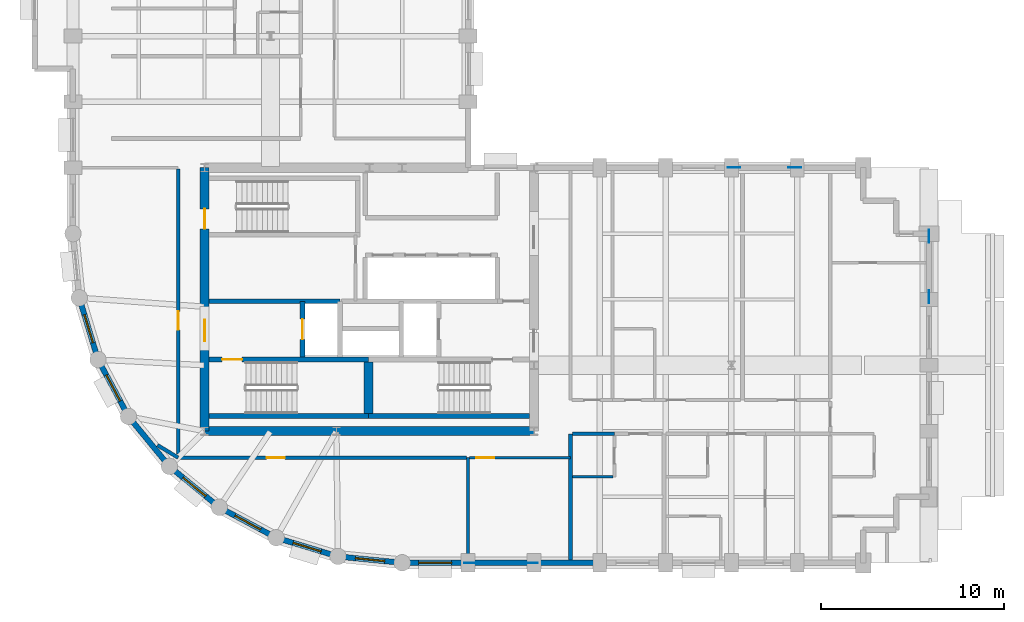
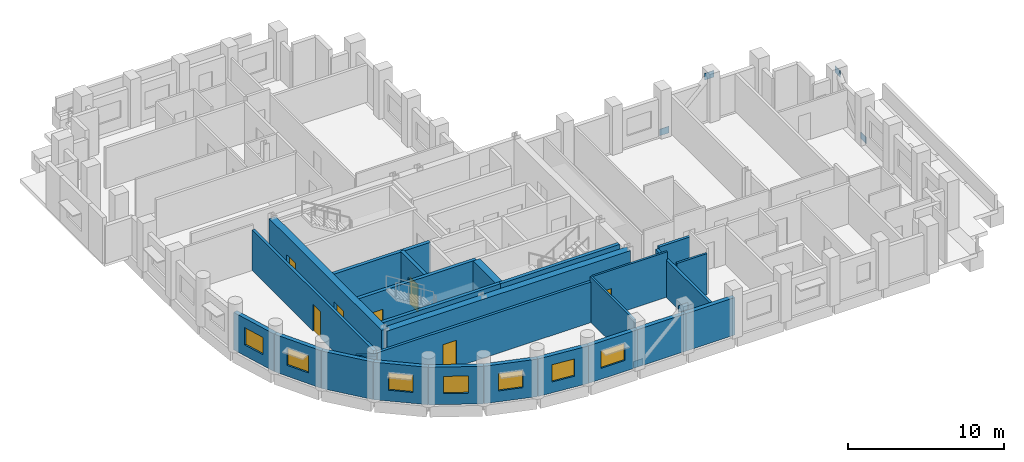
# One storey, part 3 of 10: 26 walls, 7 doors, 7 windows, 6 plates, 14 openings.
"""IFC4 building model written with IfcOpenShell, lengths in metres."""

from ifc_helpers import new_model, si_unit, direction, frame, frame_2d, origin, origin_2d, place, context, subcontext, project, spatial, rectangle, extrude, material, layer, layer_set, type_object, element, fill, save


model = new_model("IFC4")

# Units and contexts
model_context = context("Model", 3, precision=1e-05, world=origin(), true_north=direction((0.0, 1.0)))
body_context = subcontext(model_context, "Body", "Model", "MODEL_VIEW")
ifc_project = project(units=[si_unit("LENGTHUNIT", "METRE"), si_unit("AREAUNIT", "SQUARE_METRE"), si_unit("VOLUMEUNIT", "CUBIC_METRE"), si_unit("PLANEANGLEUNIT", "RADIAN"), si_unit("MASSUNIT", "GRAM", prefix="KILO")], contexts=[model_context])

# Site, building, storey
site_placement = place(None, origin())
site = spatial("IfcSite", under=ifc_project, at=site_placement, CompositionType="ELEMENT")
building_placement = place(site_placement, origin())
building = spatial("IfcBuilding", under=site, at=building_placement, Name="Solnavia Interchange Tower", CompositionType="ELEMENT")
storey_placement = place(building_placement, frame((0.0, 0.0, 127.60009765625)))
storey = spatial("IfcBuildingStorey", under=building, at=storey_placement, Name="L31", CompositionType="ELEMENT", Elevation=127.60009765625)

# Plates
ifc_material_1 = material(Name="Steel S460", Category="steel")
ifc_layer_1 = layer(ifc_material_1, 0.030029296875)
ifc_layer_set_1 = layer_set([ifc_layer_1], Name="Steel S460")
plate_type = type_object("IfcPlateType", Name="Plate-Gusset-700x520x30", PredefinedType="USERDEFINED", material=ifc_layer_set_1)
for number, where, z_axis, x_axis, name in (
    (1, (28.93994140625, 3.60009765625, -0.080078125), (0.0, 0.0, 1.0), (1.0, 0.0, 0.0), "PLT-L31-GP01 Perimeter brace gusset plate"),
    (2, (32.260009765625, 3.60009765625, 3.10986328125), (0.0, 0.0, 1.0), (1.0, 0.0, 0.0), "PLT-L31-GP02 Perimeter brace gusset plate"),
    (3, (54.0, 18.139892578125, -0.080078125), (0.0, 0.0, 1.0), (0.0, 1.0, 0.0), "PLT-L31-GP03 Perimeter brace gusset plate"),
    (4, (54.0, 21.4599609375, 3.10986328125), (0.0, 0.0, 1.0), (0.0, 1.0, 0.0), "PLT-L31-GP04 Perimeter brace gusset plate"),
    (5, (43.340087890625, 25.199951171875, -0.080078125), (0.0, 0.0, 1.0), (1.0, 0.0, 0.0), "PLT-L31-GP05 Perimeter brace gusset plate"),
    (6, (46.659912109375, 25.199951171875, 3.10986328125), (0.0, 0.0, 1.0), (1.0, 0.0, 0.0), "PLT-L31-GP06 Perimeter brace gusset plate"),
):
    element("IfcPlate", number, at=place(storey_placement, frame(where, z_axis=z_axis, x_axis=x_axis)), inside=storey, type_object=plate_type, Name=name, ObjectType="GUSSET PLATE", PredefinedType="USERDEFINED", context=body_context, shape_type="SweptSolid", body=[
        extrude(rectangle(XDim=0.699951171875, YDim=0.030029296875, at=origin_2d()), origin(), (0.0, 0.0, 1.0), 0.52001953125),
    ])

# Wall
ifc_material_2 = material(Name="Gypsum Acoustic Twin-Stud & Mineral Wool", Category="gypsum")
ifc_layer_2 = layer(ifc_material_2, 0.199951171875)
ifc_layer_set_2 = layer_set([ifc_layer_2], Name="Gypsum Acoustic Twin-Stud & Mineral Wool")
wall_type_1 = type_object("IfcWallType", Name="Wall-ApartmentParty-200", PredefinedType="PARTITIONING", material=ifc_layer_set_2)
wall_1_placement = place(storey_placement, frame((12.949951171875, 9.35009765625, 0.0), z_axis=(0.0, 0.0, 1.0), x_axis=(-0.856027557466, 0.516930189541, 0.0)))
element("IfcWall", 7, at=wall_1_placement, inside=storey, type_object=wall_type_1, Name="PTW-L31-09 Interior partition wall", PredefinedType="PARTITIONING", context=body_context, shape_type="SweptSolid", body=[
    extrude(rectangle(XDim=1.326171875, YDim=0.199951171875, at=frame_2d((0.6630859375, 0.0))), origin(), (0.0, 0.0, 1.0), 2.929931640625),
])

# Wall, opening, door
wall_2_placement = place(storey_placement, frame((12.949951171875, 9.560302734375, 0.0), z_axis=(0.0, 0.0, 1.0), x_axis=(0.0, 1.0, 0.0)))
wall_2 = element("IfcWall", 8, at=wall_2_placement, inside=storey, type_object=wall_type_1, Name="PTW-L31-10 Interior partition wall", PredefinedType="PARTITIONING", context=body_context, shape_type="SweptSolid", body=[
    extrude(rectangle(XDim=15.560791015625, YDim=0.199951171875, at=frame_2d((7.7802734375, 0.0))), origin(), (0.0, 0.0, 1.0), 3.169921875),
])
opening_1_placement = place(wall_2_placement, frame((6.780029296875, 0.0, 0.0)))
opening_1 = element("IfcOpeningElement", 9, at=opening_1_placement, cuts=wall_2, Name="Opening DR-07", PredefinedType="OPENING", context=body_context, shape_type="SweptSolid", body=[
    extrude(rectangle(XDim=1.0, YDim=2.10009765625, at=frame_2d((0.5, 1.050048828125))), frame((0.0, 0.10986328125, 0.0), z_axis=(0.0, -1.0, 0.0), x_axis=(1.0, 0.0, 0.0)), (0.0, 0.0, 1.0), 0.219970703125),
])
ifc_material_3 = material(Name="Timber & Acoustic Glazed Office Door", Category="wood")
door_type_1 = type_object("IfcDoorType", Name="Door-Office-1000x2100", OperationType="SINGLE_SWING_RIGHT", PredefinedType="DOOR", material=ifc_material_3)
door_1_placement = place(opening_1_placement, origin())
door_1 = element("IfcDoor", 10, at=door_1_placement, inside=storey, type_object=door_type_1, Name="DR-L31-03 Interior room door", OperationType="SINGLE_SWING_LEFT", OverallHeight=2.10009765625, OverallWidth=1.0, PredefinedType="DOOR", context=body_context, shape_type="SweptSolid", body=[
    extrude(rectangle(XDim=1.0, YDim=2.10009765625, at=frame_2d((0.5, 1.050048828125))), frame((0.0, 0.02490234375, 0.0), z_axis=(0.0, -1.0, 0.0), x_axis=(1.0, 0.0, 0.0)), (0.0, 0.0, 1.0), 0.050048828125),
])
fill(opening_1, door_1)

wall_3_placement = place(storey_placement, frame((12.949951171875, 9.35009765625, 0.0), z_axis=(0.0, 0.0, 1.0), x_axis=(1.0, 0.0, 0.0)))
wall_3 = element("IfcWall", 11, at=wall_3_placement, inside=storey, type_object=wall_type_1, Name="PTW-L31-11 Interior partition wall", PredefinedType="PARTITIONING", context=body_context, shape_type="SweptSolid", body=[
    extrude(rectangle(XDim=15.77099609375, YDim=0.199951171875, at=frame_2d((7.885498046875, 0.0))), origin(), (0.0, 0.0, 1.0), 3.169921875),
])
opening_2_placement = place(wall_3_placement, frame((4.8359375, 0.0, 0.0)))
opening_2 = element("IfcOpeningElement", 12, at=opening_2_placement, cuts=wall_3, Name="Opening DR-07", PredefinedType="OPENING", context=body_context, shape_type="SweptSolid", body=[
    extrude(rectangle(XDim=1.0, YDim=2.10009765625, at=frame_2d((0.5, 1.050048828125))), frame((0.0, 0.10986328125, 0.0), z_axis=(0.0, -1.0, 0.0), x_axis=(1.0, 0.0, 0.0)), (0.0, 0.0, 1.0), 0.219970703125),
])
door_2_placement = place(opening_2_placement, origin())
door_2 = element("IfcDoor", 13, at=door_2_placement, inside=storey, type_object=door_type_1, Name="DR-L31-04 Interior room door", OperationType="SINGLE_SWING_RIGHT", OverallHeight=2.10009765625, OverallWidth=1.0, PredefinedType="DOOR", context=body_context, shape_type="SweptSolid", body=[
    extrude(rectangle(XDim=1.0, YDim=2.10009765625, at=frame_2d((0.5, 1.050048828125))), frame((0.0, 0.02490234375, 0.0), z_axis=(0.0, -1.0, 0.0), x_axis=(1.0, 0.0, 0.0)), (0.0, 0.0, 1.0), 0.050048828125),
])
fill(opening_2, door_2)

# Walls
wall_4_placement = place(storey_placement, frame((34.39990234375, 3.75390625, 0.0), z_axis=(0.0, 0.0, 1.0), x_axis=(0.0, 1.0, 0.0)))
element("IfcWall", 14, at=wall_4_placement, inside=storey, type_object=wall_type_1, Name="PTW-L31-13 Interior partition wall", PredefinedType="PARTITIONING", context=body_context, shape_type="SweptSolid", body=[
    extrude(rectangle(XDim=6.89599609375, YDim=0.199951171875, at=frame_2d((3.447998046875, 0.0))), origin(), (0.0, 0.0, 1.0), 2.929931640625),
])
wall_5_placement = place(storey_placement, frame((34.50390625, 10.64990234375, 0.0), z_axis=(0.0, 0.0, 1.0), x_axis=(1.0, 0.0, 0.0)))
element("IfcWall", 15, at=wall_5_placement, inside=storey, type_object=wall_type_1, Name="PTW-L31-15 Interior partition wall", PredefinedType="PARTITIONING", context=body_context, shape_type="SweptSolid", body=[
    extrude(rectangle(XDim=2.296142578125, YDim=0.199951171875, at=frame_2d((1.14794921875, 0.0))), origin(), (0.0, 0.0, 1.0), 3.079833984375),
])

# Wall, opening, window
ifc_material_4 = material(Name="Concrete C40/50", Category="concrete")
ifc_layer_3 = layer(ifc_material_4, 0.300048828125)
ifc_layer_set_3 = layer_set([ifc_layer_3], Name="Concrete C40/50")
wall_type_2 = type_object("IfcWallType", Name="Wall-ExtSpandrel-300", PredefinedType="STANDARD", material=ifc_layer_set_3)
wall_6_placement = place(storey_placement, frame((28.800048828125, 3.60009765625, 0.0), z_axis=(0.0, 0.0, 1.0), x_axis=(-1.0, 0.0, 0.0)))
wall_6 = element("IfcWall", 16, at=wall_6_placement, inside=storey, type_object=wall_type_2, Name="EXW-L31-01 Exterior precast spandrel wall", PredefinedType="STANDARD", context=body_context, shape_type="SweptSolid", body=[
    extrude(rectangle(XDim=3.60009765625, YDim=0.300048828125, at=frame_2d((1.800048828125, 0.0))), origin(), (0.0, 0.0, 1.0), 2.929931640625),
])
opening_3_placement = place(wall_6_placement, frame((0.89990234375, 0.0, 0.85009765625)))
opening_3 = element("IfcOpeningElement", 17, at=opening_3_placement, cuts=wall_6, Name="Opening WIN-02", PredefinedType="OPENING", context=body_context, shape_type="SweptSolid", body=[
    extrude(rectangle(XDim=1.800048828125, YDim=1.35009765625, at=frame_2d((0.89990234375, 0.675048828125))), frame((0.0, 0.16015625, 0.0), z_axis=(0.0, -1.0, 0.0), x_axis=(1.0, 0.0, 0.0)), (0.0, 0.0, 1.0), 0.320068359375),
])
ifc_material_5 = material(Name="Thermal-Break Aluminium & Low-E Glass", Category="aluminium")
window_type_1 = type_object("IfcWindowType", Name="Window-Ribbon-1800x1350", PartitioningType="SINGLE_PANEL", PredefinedType="WINDOW", material=ifc_material_5)
window_1_placement = place(opening_3_placement, origin())
window_1 = element("IfcWindow", 18, at=window_1_placement, inside=storey, type_object=window_type_1, Name="WIN-L31-01 Facade ribbon window", OverallHeight=1.35009765625, OverallWidth=1.800048828125, PartitioningType="SINGLE_PANEL", PredefinedType="WINDOW", context=body_context, shape_type="SweptSolid", body=[
    extrude(rectangle(XDim=1.800048828125, YDim=1.35009765625, at=frame_2d((0.89990234375, 0.675048828125))), frame((0.0, 0.030029296875, 0.0), z_axis=(0.0, -1.0, 0.0), x_axis=(1.0, 0.0, 0.0)), (0.0, 0.0, 1.0), 0.06005859375),
])
fill(opening_3, window_1)

# Walls
wall_7_placement = place(storey_placement, frame((32.39990234375, 3.60009765625, 0.0), z_axis=(0.0, 0.0, 1.0), x_axis=(-1.0, 0.0, 0.0)))
element("IfcWall", 19, at=wall_7_placement, inside=storey, type_object=wall_type_2, Name="EXW-L31-02 Exterior precast spandrel wall", PredefinedType="STANDARD", context=body_context, shape_type="SweptSolid", body=[
    extrude(rectangle(XDim=3.599853515625, YDim=0.300048828125, at=frame_2d((1.7998046875, 0.0))), origin(), (0.0, 0.0, 1.0), 2.929931640625),
])
wall_8_placement = place(storey_placement, frame((36.0, 3.60009765625, 0.0), z_axis=(0.0, 0.0, 1.0), x_axis=(-1.0, 0.0, 0.0)))
element("IfcWall", 20, at=wall_8_placement, inside=storey, type_object=wall_type_2, Name="EXW-L31-03 Exterior precast spandrel wall", PredefinedType="STANDARD", context=body_context, shape_type="SweptSolid", body=[
    extrude(rectangle(XDim=3.60009765625, YDim=0.300048828125, at=frame_2d((1.800048828125, 0.0))), origin(), (0.0, 0.0, 1.0), 2.929931640625),
])

# Wall, opening, window
wall_9_placement = place(storey_placement, frame((8.570068359375, 14.7119140625, 0.0), z_axis=(0.0, 0.0, 1.0), x_axis=(-0.290305086481, 0.956934144423, 0.0)))
wall_9 = element("IfcWall", 21, at=wall_9_placement, inside=storey, type_object=wall_type_2, Name="EXW-L31-52 Exterior precast spandrel wall", PredefinedType="STANDARD", context=body_context, shape_type="SweptSolid", body=[
    extrude(rectangle(XDim=3.52783203125, YDim=0.300048828125, at=frame_2d((1.763916015625, 0.0))), origin(), (0.0, 0.0, 1.0), 2.929931640625),
])
opening_4_placement = place(wall_9_placement, frame((0.964111328125, 0.0, 0.85009765625)))
opening_4 = element("IfcOpeningElement", 22, at=opening_4_placement, cuts=wall_9, Name="Opening WIN-04", PredefinedType="OPENING", context=body_context, shape_type="SweptSolid", body=[
    extrude(rectangle(XDim=1.60009765625, YDim=1.35009765625, at=frame_2d((0.800048828125, 0.675048828125))), frame((0.0, 0.16015625, 0.0), z_axis=(0.0, -1.0, 0.0), x_axis=(1.0, 0.0, 0.0)), (0.0, 0.0, 1.0), 0.320068359375),
])
window_type_2 = type_object("IfcWindowType", Name="Window-Drum-1600x1350", PartitioningType="SINGLE_PANEL", PredefinedType="WINDOW", material=ifc_material_5)
window_2_placement = place(opening_4_placement, origin())
window_2 = element("IfcWindow", 23, at=window_2_placement, inside=storey, type_object=window_type_2, Name="WIN-L31-52 Facade ribbon window", OverallHeight=1.35009765625, OverallWidth=1.60009765625, PartitioningType="SINGLE_PANEL", PredefinedType="WINDOW", context=body_context, shape_type="SweptSolid", body=[
    extrude(rectangle(XDim=1.60009765625, YDim=1.35009765625, at=frame_2d((0.800048828125, 0.675048828125))), frame((0.0, 0.030029296875, 0.0), z_axis=(0.0, -1.0, 0.0), x_axis=(1.0, 0.0, 0.0)), (0.0, 0.0, 1.0), 0.06005859375),
])
fill(opening_4, window_2)

wall_10_placement = place(storey_placement, frame((10.23388671875, 11.60009765625, 0.0), z_axis=(0.0, 0.0, 1.0), x_axis=(-0.47151087309, 0.881860247748, 0.0)))
wall_10 = element("IfcWall", 24, at=wall_10_placement, inside=storey, type_object=wall_type_2, Name="EXW-L31-53 Exterior precast spandrel wall", PredefinedType="STANDARD", context=body_context, shape_type="SweptSolid", body=[
    extrude(rectangle(XDim=3.52880859375, YDim=0.300048828125, at=frame_2d((1.764404296875, 0.0))), origin(), (0.0, 0.0, 1.0), 2.929931640625),
])
opening_5_placement = place(wall_10_placement, frame((0.964111328125, 0.0, 0.85009765625)))
opening_5 = element("IfcOpeningElement", 25, at=opening_5_placement, cuts=wall_10, Name="Opening WIN-04", PredefinedType="OPENING", context=body_context, shape_type="SweptSolid", body=[
    extrude(rectangle(XDim=1.60009765625, YDim=1.35009765625, at=frame_2d((0.800048828125, 0.675048828125))), frame((0.0, 0.16015625, 0.0), z_axis=(0.0, -1.0, 0.0), x_axis=(1.0, 0.0, 0.0)), (0.0, 0.0, 1.0), 0.320068359375),
])
window_3_placement = place(opening_5_placement, origin())
window_3 = element("IfcWindow", 26, at=window_3_placement, inside=storey, type_object=window_type_2, Name="WIN-L31-53 Facade ribbon window", OverallHeight=1.35009765625, OverallWidth=1.60009765625, PartitioningType="SINGLE_PANEL", PredefinedType="WINDOW", context=body_context, shape_type="SweptSolid", body=[
    extrude(rectangle(XDim=1.60009765625, YDim=1.35009765625, at=frame_2d((0.800048828125, 0.675048828125))), frame((0.0, 0.030029296875, 0.0), z_axis=(0.0, -1.0, 0.0), x_axis=(1.0, 0.0, 0.0)), (0.0, 0.0, 1.0), 0.06005859375),
])
fill(opening_5, window_3)

# Wall
wall_11_placement = place(storey_placement, frame((12.471923828125, 8.8720703125, 0.0), z_axis=(0.0, 0.0, 1.0), x_axis=(-0.634258295121, 0.773121216285, 0.0)))
element("IfcWall", 27, at=wall_11_placement, inside=storey, type_object=wall_type_2, Name="EXW-L31-54 Exterior precast spandrel wall", PredefinedType="STANDARD", context=body_context, shape_type="SweptSolid", body=[
    extrude(rectangle(XDim=3.528564453125, YDim=0.300048828125, at=frame_2d((1.76416015625, 0.0))), origin(), (0.0, 0.0, 1.0), 2.929931640625),
])

# Wall, opening, window
wall_12_placement = place(storey_placement, frame((15.199951171875, 6.634033203125, 0.0), z_axis=(0.0, 0.0, 1.0), x_axis=(-0.773121216285, 0.634258295121, 0.0)))
wall_12 = element("IfcWall", 28, at=wall_12_placement, inside=storey, type_object=wall_type_2, Name="EXW-L31-55 Exterior precast spandrel wall", PredefinedType="STANDARD", context=body_context, shape_type="SweptSolid", body=[
    extrude(rectangle(XDim=3.528564453125, YDim=0.300048828125, at=frame_2d((1.76416015625, 0.0))), origin(), (0.0, 0.0, 1.0), 2.929931640625),
])
opening_6_placement = place(wall_12_placement, frame((0.964111328125, 0.0, 0.85009765625)))
opening_6 = element("IfcOpeningElement", 29, at=opening_6_placement, cuts=wall_12, Name="Opening WIN-04", PredefinedType="OPENING", context=body_context, shape_type="SweptSolid", body=[
    extrude(rectangle(XDim=1.60009765625, YDim=1.35009765625, at=frame_2d((0.800048828125, 0.675048828125))), frame((0.0, 0.16015625, 0.0), z_axis=(0.0, -1.0, 0.0), x_axis=(1.0, 0.0, 0.0)), (0.0, 0.0, 1.0), 0.320068359375),
])
window_4_placement = place(opening_6_placement, origin())
window_4 = element("IfcWindow", 30, at=window_4_placement, inside=storey, type_object=window_type_2, Name="WIN-L31-55 Facade ribbon window", OverallHeight=1.35009765625, OverallWidth=1.60009765625, PartitioningType="SINGLE_PANEL", PredefinedType="WINDOW", context=body_context, shape_type="SweptSolid", body=[
    extrude(rectangle(XDim=1.60009765625, YDim=1.35009765625, at=frame_2d((0.800048828125, 0.675048828125))), frame((0.0, 0.030029296875, 0.0), z_axis=(0.0, -1.0, 0.0), x_axis=(1.0, 0.0, 0.0)), (0.0, 0.0, 1.0), 0.06005859375),
])
fill(opening_6, window_4)

wall_13_placement = place(storey_placement, frame((18.31201171875, 4.969970703125, 0.0), z_axis=(0.0, 0.0, 1.0), x_axis=(-0.881846862014, 0.471535907389, 0.0)))
wall_13 = element("IfcWall", 31, at=wall_13_placement, inside=storey, type_object=wall_type_2, Name="EXW-L31-56 Exterior precast spandrel wall", PredefinedType="STANDARD", context=body_context, shape_type="SweptSolid", body=[
    extrude(rectangle(XDim=3.529052734375, YDim=0.300048828125, at=frame_2d((1.7646484375, 0.0))), origin(), (0.0, 0.0, 1.0), 2.929931640625),
])
opening_7_placement = place(wall_13_placement, frame((0.964111328125, 0.0, 0.85009765625)))
opening_7 = element("IfcOpeningElement", 32, at=opening_7_placement, cuts=wall_13, Name="Opening WIN-04", PredefinedType="OPENING", context=body_context, shape_type="SweptSolid", body=[
    extrude(rectangle(XDim=1.60009765625, YDim=1.35009765625, at=frame_2d((0.800048828125, 0.675048828125))), frame((0.0, 0.16015625, 0.0), z_axis=(0.0, -1.0, 0.0), x_axis=(1.0, 0.0, 0.0)), (0.0, 0.0, 1.0), 0.320068359375),
])
window_5_placement = place(opening_7_placement, origin())
window_5 = element("IfcWindow", 33, at=window_5_placement, inside=storey, type_object=window_type_2, Name="WIN-L31-56 Facade ribbon window", OverallHeight=1.35009765625, OverallWidth=1.60009765625, PartitioningType="SINGLE_PANEL", PredefinedType="WINDOW", context=body_context, shape_type="SweptSolid", body=[
    extrude(rectangle(XDim=1.60009765625, YDim=1.35009765625, at=frame_2d((0.800048828125, 0.675048828125))), frame((0.0, 0.030029296875, 0.0), z_axis=(0.0, -1.0, 0.0), x_axis=(1.0, 0.0, 0.0)), (0.0, 0.0, 1.0), 0.06005859375),
])
fill(opening_7, window_5)

wall_14_placement = place(storey_placement, frame((21.68798828125, 3.946044921875, 0.0), z_axis=(0.0, 0.0, 1.0), x_axis=(-0.956953367403, 0.290241714123, 0.0)))
wall_14 = element("IfcWall", 34, at=wall_14_placement, inside=storey, type_object=wall_type_2, Name="EXW-L31-57 Exterior precast spandrel wall", PredefinedType="STANDARD", context=body_context, shape_type="SweptSolid", body=[
    extrude(rectangle(XDim=3.52783203125, YDim=0.300048828125, at=frame_2d((1.763916015625, 0.0))), origin(), (0.0, 0.0, 1.0), 2.929931640625),
])
opening_8_placement = place(wall_14_placement, frame((0.964111328125, 0.0, 0.85009765625)))
opening_8 = element("IfcOpeningElement", 35, at=opening_8_placement, cuts=wall_14, Name="Opening WIN-04", PredefinedType="OPENING", context=body_context, shape_type="SweptSolid", body=[
    extrude(rectangle(XDim=1.60009765625, YDim=1.35009765625, at=frame_2d((0.800048828125, 0.675048828125))), frame((0.0, 0.16015625, 0.0), z_axis=(0.0, -1.0, 0.0), x_axis=(1.0, 0.0, 0.0)), (0.0, 0.0, 1.0), 0.320068359375),
])
window_6_placement = place(opening_8_placement, origin())
window_6 = element("IfcWindow", 36, at=window_6_placement, inside=storey, type_object=window_type_2, Name="WIN-L31-57 Facade ribbon window", OverallHeight=1.35009765625, OverallWidth=1.60009765625, PartitioningType="SINGLE_PANEL", PredefinedType="WINDOW", context=body_context, shape_type="SweptSolid", body=[
    extrude(rectangle(XDim=1.60009765625, YDim=1.35009765625, at=frame_2d((0.800048828125, 0.675048828125))), frame((0.0, 0.030029296875, 0.0), z_axis=(0.0, -1.0, 0.0), x_axis=(1.0, 0.0, 0.0)), (0.0, 0.0, 1.0), 0.06005859375),
])
fill(opening_8, window_6)

wall_15_placement = place(storey_placement, frame((25.199951171875, 3.60009765625, 0.0), z_axis=(0.0, 0.0, 1.0), x_axis=(-0.995183369056, 0.098030923459, 0.0)))
wall_15 = element("IfcWall", 37, at=wall_15_placement, inside=storey, type_object=wall_type_2, Name="EXW-L31-58 Exterior precast spandrel wall", PredefinedType="STANDARD", context=body_context, shape_type="SweptSolid", body=[
    extrude(rectangle(XDim=3.529052734375, YDim=0.300048828125, at=frame_2d((1.7646484375, 0.0))), origin(), (0.0, 0.0, 1.0), 2.929931640625),
])
opening_9_placement = place(wall_15_placement, frame((0.965087890625, 0.0, 0.85009765625)))
opening_9 = element("IfcOpeningElement", 38, at=opening_9_placement, cuts=wall_15, Name="Opening WIN-04", PredefinedType="OPENING", context=body_context, shape_type="SweptSolid", body=[
    extrude(rectangle(XDim=1.60009765625, YDim=1.35009765625, at=frame_2d((0.800048828125, 0.675048828125))), frame((0.0, 0.16015625, 0.0), z_axis=(0.0, -1.0, 0.0), x_axis=(1.0, 0.0, 0.0)), (0.0, 0.0, 1.0), 0.320068359375),
])
window_7_placement = place(opening_9_placement, origin())
window_7 = element("IfcWindow", 39, at=window_7_placement, inside=storey, type_object=window_type_2, Name="WIN-L31-58 Facade ribbon window", OverallHeight=1.35009765625, OverallWidth=1.60009765625, PartitioningType="SINGLE_PANEL", PredefinedType="WINDOW", context=body_context, shape_type="SweptSolid", body=[
    extrude(rectangle(XDim=1.60009765625, YDim=1.35009765625, at=frame_2d((0.800048828125, 0.675048828125))), frame((0.0, 0.030029296875, 0.0), z_axis=(0.0, -1.0, 0.0), x_axis=(1.0, 0.0, 0.0)), (0.0, 0.0, 1.0), 0.06005859375),
])
fill(opening_9, window_7)

# Wall
ifc_material_6 = material(Name="Gypsum Plasterboard & Steel Stud", Category="steel")
ifc_layer_4 = layer(ifc_material_6, 0.14990234375)
ifc_layer_set_4 = layer_set([ifc_layer_4], Name="Gypsum Plasterboard & Steel Stud")
wall_type_3 = type_object("IfcWallType", Name="Wall-Partition-150", PredefinedType="PARTITIONING", material=ifc_layer_set_4)
wall_16_placement = place(storey_placement, frame((28.800048828125, 9.35009765625, 0.0), z_axis=(0.0, 0.0, 1.0), x_axis=(0.0, -1.0, 0.0)))
element("IfcWall", 40, at=wall_16_placement, inside=storey, type_object=wall_type_3, Name="PTW-L31-08 Interior partition wall", PredefinedType="PARTITIONING", context=body_context, shape_type="SweptSolid", body=[
    extrude(rectangle(XDim=5.59619140625, YDim=0.14990234375, at=frame_2d((2.798095703125, 0.0))), origin(), (0.0, 0.0, 1.0), 3.534912109375),
])

# Wall, opening, door
wall_17_placement = place(storey_placement, frame((28.87890625, 9.35009765625, 0.0), z_axis=(0.0, 0.0, 1.0), x_axis=(1.0, 0.0, 0.0)))
wall_17 = element("IfcWall", 41, at=wall_17_placement, inside=storey, type_object=wall_type_3, Name="PTW-L31-12 Interior partition wall", PredefinedType="PARTITIONING", context=body_context, shape_type="SweptSolid", body=[
    extrude(rectangle(XDim=5.52099609375, YDim=0.14990234375, at=frame_2d((2.760498046875, 0.0))), origin(), (0.0, 0.0, 1.0), 3.534912109375),
])
opening_10_placement = place(wall_17_placement, frame((0.360107421875, 0.0, 0.0)))
opening_10 = element("IfcOpeningElement", 42, at=opening_10_placement, cuts=wall_17, Name="Opening DR-07", PredefinedType="OPENING", context=body_context, shape_type="SweptSolid", body=[
    extrude(rectangle(XDim=1.0, YDim=2.10009765625, at=frame_2d((0.5, 1.050048828125))), frame((0.0, 0.0849609375, 0.0), z_axis=(0.0, -1.0, 0.0), x_axis=(1.0, 0.0, 0.0)), (0.0, 0.0, 1.0), 0.169921875),
])
door_3_placement = place(opening_10_placement, origin())
door_3 = element("IfcDoor", 43, at=door_3_placement, inside=storey, type_object=door_type_1, Name="DR-L31-05 Interior room door", OperationType="SINGLE_SWING_LEFT", OverallHeight=2.10009765625, OverallWidth=1.0, PredefinedType="DOOR", context=body_context, shape_type="SweptSolid", body=[
    extrude(rectangle(XDim=1.0, YDim=2.10009765625, at=frame_2d((0.5, 1.050048828125))), frame((0.0, 0.02490234375, 0.0), z_axis=(0.0, -1.0, 0.0), x_axis=(1.0, 0.0, 0.0)), (0.0, 0.0, 1.0), 0.050048828125),
])
fill(opening_10, door_3)

# Wall
ifc_layer_5 = layer(ifc_material_4, 0.25)
ifc_layer_set_5 = layer_set([ifc_layer_5], Name="Concrete C40/50")
wall_type_4 = type_object("IfcWallType", Name="Wall-ShaftCore-250", PredefinedType="SHEAR", material=ifc_layer_set_5)
wall_18_placement = place(storey_placement, frame((14.64990234375, 11.625, 0.0), z_axis=(0.0, 0.0, 1.0), x_axis=(1.0, 0.0, 0.0)))
element("IfcWall", 44, at=wall_18_placement, inside=storey, type_object=wall_type_4, Name="SHW-L31-ST1S Core shear wall", PredefinedType="SHEAR", context=body_context, shape_type="SweptSolid", body=[
    extrude(rectangle(XDim=8.7001953125, YDim=0.25, at=frame_2d((4.35009765625, 0.0))), origin(), (0.0, 0.0, 1.0), 3.5498046875),
])

# Wall, opening, door
wall_19_placement = place(storey_placement, frame((14.64990234375, 14.715087890625, 0.0), z_axis=(0.0, 0.0, 1.0), x_axis=(1.0, 0.0, 0.0)))
wall_19 = element("IfcWall", 45, at=wall_19_placement, inside=storey, type_object=wall_type_4, Name="SHW-L31-ST1N Core shear wall", PredefinedType="SHEAR", context=body_context, shape_type="SweptSolid", body=[
    extrude(rectangle(XDim=8.7001953125, YDim=0.25, at=frame_2d((4.35009765625, 0.0))), origin(), (0.0, 0.0, 1.0), 3.5498046875),
])
opening_11_placement = place(wall_19_placement, frame((0.705078125, 0.0, 0.0)))
opening_11 = element("IfcOpeningElement", 46, at=opening_11_placement, cuts=wall_19, Name="Opening DR-01", PredefinedType="OPENING", context=body_context, shape_type="SweptSolid", body=[
    extrude(rectangle(XDim=1.10009765625, YDim=2.10009765625, at=frame_2d((0.550048828125, 1.050048828125))), frame((0.0, 0.135009765625, 0.0), z_axis=(0.0, -1.0, 0.0), x_axis=(1.0, 0.0, 0.0)), (0.0, 0.0, 1.0), 0.27001953125),
])
ifc_material_7 = material(Name="Steel Fire-Rated Leaf & Frame", Category="steel")
door_type_2 = type_object("IfcDoorType", Name="Door-StairFire-1100x2100", OperationType="SINGLE_SWING_LEFT", PredefinedType="DOOR", material=ifc_material_7)
door_4_placement = place(opening_11_placement, origin())
door_4 = element("IfcDoor", 47, at=door_4_placement, inside=storey, type_object=door_type_2, Name="DR-L31-ST1 Core fire door", OperationType="SINGLE_SWING_LEFT", OverallHeight=2.10009765625, OverallWidth=1.10009765625, PredefinedType="DOOR", context=body_context, shape_type="SweptSolid", body=[
    extrude(rectangle(XDim=1.10009765625, YDim=2.10009765625, at=frame_2d((0.550048828125, 1.050048828125))), frame((0.0, 0.02490234375, 0.0), z_axis=(0.0, -1.0, 0.0), x_axis=(1.0, 0.0, 0.0)), (0.0, 0.0, 1.0), 0.050048828125),
])
fill(opening_11, door_4)

# Walls
wall_20_placement = place(storey_placement, frame((23.35009765625, 11.625, 0.0), z_axis=(0.0, 0.0, 1.0), x_axis=(1.0, 0.0, 0.0)))
element("IfcWall", 48, at=wall_20_placement, inside=storey, type_object=wall_type_4, Name="SHW-L31-ST2S Core shear wall", PredefinedType="SHEAR", context=body_context, shape_type="SweptSolid", body=[
    extrude(rectangle(XDim=8.7998046875, YDim=0.25, at=frame_2d((4.39990234375, 0.0))), origin(), (0.0, 0.0, 1.0), 3.5498046875),
])
ifc_layer_6 = layer(ifc_material_4, 0.25)
ifc_layer_set_6 = layer_set([ifc_layer_6], Name="Concrete C40/50")
wall_type_5 = type_object("IfcWallType", Name="Wall-ShaftPart-250", PredefinedType="PARTITIONING", material=ifc_layer_set_6)
wall_21_placement = place(storey_placement, frame((14.64990234375, 17.89990234375, 0.0), z_axis=(0.0, 0.0, 1.0), x_axis=(1.0, 0.0, 0.0)))
element("IfcWall", 49, at=wall_21_placement, inside=storey, type_object=wall_type_5, Name="SHW-L31-FFLW-N Core shaft wall", PredefinedType="PARTITIONING", context=body_context, shape_type="SweptSolid", body=[
    extrude(rectangle(XDim=7.150146484375, YDim=0.25, at=frame_2d((3.5751953125, 0.0))), origin(), (0.0, 0.0, 1.0), 3.534912109375),
])

# Wall, opening, door
wall_22_placement = place(storey_placement, frame((19.75, 14.840087890625, 0.0), z_axis=(0.0, 0.0, 1.0), x_axis=(0.0, 1.0, 0.0)))
wall_22 = element("IfcWall", 50, at=wall_22_placement, inside=storey, type_object=wall_type_5, Name="SHW-L31-FFL1-W Core shaft wall", PredefinedType="PARTITIONING", context=body_context, shape_type="SweptSolid", body=[
    extrude(rectangle(XDim=3.059814453125, YDim=0.25, at=frame_2d((1.52978515625, 0.0))), origin(), (0.0, 0.0, 1.0), 3.534912109375),
])
opening_12_placement = place(wall_22_placement, frame((0.97998046875, 0.0, 0.0)))
opening_12 = element("IfcOpeningElement", 51, at=opening_12_placement, cuts=wall_22, Name="Opening LD-01", PredefinedType="OPENING", context=body_context, shape_type="SweptSolid", body=[
    extrude(rectangle(XDim=1.10009765625, YDim=2.10009765625, at=frame_2d((0.550048828125, 1.050048828125))), frame((0.0, 0.135009765625, 0.0), z_axis=(0.0, -1.0, 0.0), x_axis=(1.0, 0.0, 0.0)), (0.0, 0.0, 1.0), 0.27001953125),
])
ifc_material_8 = material(Name="Brushed Stainless Steel Sliding Door", Category="steel")
door_type_3 = type_object("IfcDoorType", Name="Door-LiftLanding-1100x2100", OperationType="SLIDING_TO_LEFT", PredefinedType="DOOR", material=ifc_material_8)
door_5_placement = place(opening_12_placement, origin())
door_5 = element("IfcDoor", 52, at=door_5_placement, inside=storey, type_object=door_type_3, Name="LD-L31-FFL1 Lift landing sliding door", OperationType="SLIDING_TO_LEFT", OverallHeight=2.10009765625, OverallWidth=1.10009765625, PredefinedType="DOOR", context=body_context, shape_type="SweptSolid", body=[
    extrude(rectangle(XDim=1.10009765625, YDim=2.10009765625, at=frame_2d((0.550048828125, 1.050048828125))), frame((0.0, 0.02490234375, 0.0), z_axis=(0.0, -1.0, 0.0), x_axis=(1.0, 0.0, 0.0)), (0.0, 0.0, 1.0), 0.050048828125),
])
fill(opening_12, door_5)

# Wall
ifc_material_9 = material(Name="Concrete C60/75", Category="concrete")
ifc_layer_7 = layer(ifc_material_9, 0.5)
ifc_layer_set_7 = layer_set([ifc_layer_7], Name="Concrete C60/75")
wall_type_6 = type_object("IfcWallType", Name="Wall-ShearCore-500", PredefinedType="SHEAR", material=ifc_layer_set_7)
wall_23_placement = place(storey_placement, frame((14.39990234375, 10.800048828125, 0.0), z_axis=(0.0, 0.0, 1.0), x_axis=(1.0, 0.0, 0.0)))
element("IfcWall", 53, at=wall_23_placement, inside=storey, type_object=wall_type_6, Name="CRW-L31-S Core shear wall", PredefinedType="SHEAR", context=body_context, shape_type="SweptSolid", body=[
    extrude(rectangle(XDim=18.0, YDim=0.5, at=frame_2d((9.0, 0.0))), origin(), (0.0, 0.0, 1.0), 3.5498046875),
])

# Wall, openings, doors
wall_24_placement = place(storey_placement, frame((14.39990234375, 10.800048828125, 0.0), z_axis=(0.0, 0.0, 1.0), x_axis=(0.0, 1.0, 0.0)))
wall_24 = element("IfcWall", 54, at=wall_24_placement, inside=storey, type_object=wall_type_6, Name="CRW-L31-W Core shear wall", PredefinedType="SHEAR", context=body_context, shape_type="SweptSolid", body=[
    extrude(rectangle(XDim=14.39990234375, YDim=0.5, at=frame_2d((7.199951171875, 0.0))), origin(), (0.0, 0.0, 1.0), 3.5498046875),
])
opening_13_placement = place(wall_24_placement, frame((11.050048828125, 0.0, 0.0)))
opening_13 = element("IfcOpeningElement", 55, at=opening_13_placement, cuts=wall_24, Name="Opening DR-01", PredefinedType="OPENING", context=body_context, shape_type="SweptSolid", body=[
    extrude(rectangle(XDim=1.10009765625, YDim=2.10009765625, at=frame_2d((0.550048828125, 1.050048828125))), frame((0.0, 0.260009765625, 0.0), z_axis=(0.0, -1.0, 0.0), x_axis=(1.0, 0.0, 0.0)), (0.0, 0.0, 1.0), 0.52001953125),
])
opening_14_placement = place(wall_24_placement, frame((4.89990234375, 0.0, 0.0)))
opening_14 = element("IfcOpeningElement", 56, at=opening_14_placement, cuts=wall_24, Name="Opening DR-02", PredefinedType="OPENING", context=body_context, shape_type="SweptSolid", body=[
    extrude(rectangle(XDim=1.199951171875, YDim=2.10009765625, at=frame_2d((0.60009765625, 1.050048828125))), frame((0.0, 0.260009765625, 0.0), z_axis=(0.0, -1.0, 0.0), x_axis=(1.0, 0.0, 0.0)), (0.0, 0.0, 1.0), 0.52001953125),
])
ifc_material_10 = material(Name="Steel Fire-Rated Vision-Panel Door", Category="steel")
door_type_4 = type_object("IfcDoorType", Name="Door-LobbyFire-1200x2100", OperationType="SINGLE_SWING_RIGHT", PredefinedType="DOOR", material=ifc_material_10)
door_6_placement = place(opening_14_placement, origin())
door_6 = element("IfcDoor", 57, at=door_6_placement, inside=storey, type_object=door_type_4, Name="DR-L31-FFL1W Core fire door", OperationType="SINGLE_SWING_RIGHT", OverallHeight=2.10009765625, OverallWidth=1.199951171875, PredefinedType="DOOR", context=body_context, shape_type="SweptSolid", body=[
    extrude(rectangle(XDim=1.199951171875, YDim=2.10009765625, at=frame_2d((0.60009765625, 1.050048828125))), frame((0.0, 0.02490234375, 0.0), z_axis=(0.0, -1.0, 0.0), x_axis=(1.0, 0.0, 0.0)), (0.0, 0.0, 1.0), 0.050048828125),
])
fill(opening_14, door_6)
door_7_placement = place(opening_13_placement, origin())
door_7 = element("IfcDoor", 58, at=door_7_placement, inside=storey, type_object=door_type_2, Name="DR-L31-ST3 Core fire door", OperationType="SINGLE_SWING_RIGHT", OverallHeight=2.10009765625, OverallWidth=1.10009765625, PredefinedType="DOOR", context=body_context, shape_type="SweptSolid", body=[
    extrude(rectangle(XDim=1.10009765625, YDim=2.10009765625, at=frame_2d((0.550048828125, 1.050048828125))), frame((0.0, 0.02490234375, 0.0), z_axis=(0.0, -1.0, 0.0), x_axis=(1.0, 0.0, 0.0)), (0.0, 0.0, 1.0), 0.050048828125),
])
fill(opening_13, door_7)

# Walls
wall_25_placement = place(storey_placement, frame((23.35009765625, 11.75, 0.0), z_axis=(0.0, 0.0, 1.0), x_axis=(0.0, 1.0, 0.0)))
element("IfcWall", 59, at=wall_25_placement, inside=storey, type_object=wall_type_6, Name="SHW-L31-ST12M Core shear wall", PredefinedType="SHEAR", context=body_context, shape_type="SweptSolid", body=[
    extrude(rectangle(XDim=2.840087890625, YDim=0.5, at=frame_2d((1.419921875, 0.0))), origin(), (0.0, 0.0, 1.0), 3.5498046875),
])
ifc_material_11 = material(Name="Moisture-Resistant Gypsum & Steel Stud", Category="steel")
ifc_layer_8 = layer(ifc_material_11, 0.14990234375)
ifc_layer_set_8 = layer_set([ifc_layer_8], Name="Moisture-Resistant Gypsum & Steel Stud")
wall_type_7 = type_object("IfcWallType", Name="Wall-WetRoom-150", PredefinedType="PARTITIONING", material=ifc_layer_set_8)
wall_26_placement = place(storey_placement, frame((34.50390625, 8.300048828125, 0.0), z_axis=(0.0, 0.0, 1.0), x_axis=(1.0, 0.0, 0.0)))
element("IfcWall", 60, at=wall_26_placement, inside=storey, type_object=wall_type_7, Name="PTW-L31-17 Interior partition wall", PredefinedType="PARTITIONING", context=body_context, shape_type="SweptSolid", body=[
    extrude(rectangle(XDim=2.217041015625, YDim=0.14990234375, at=frame_2d((1.1083984375, 0.0))), origin(), (0.0, 0.0, 1.0), 3.219970703125),
])

save(model, "model.ifc")
